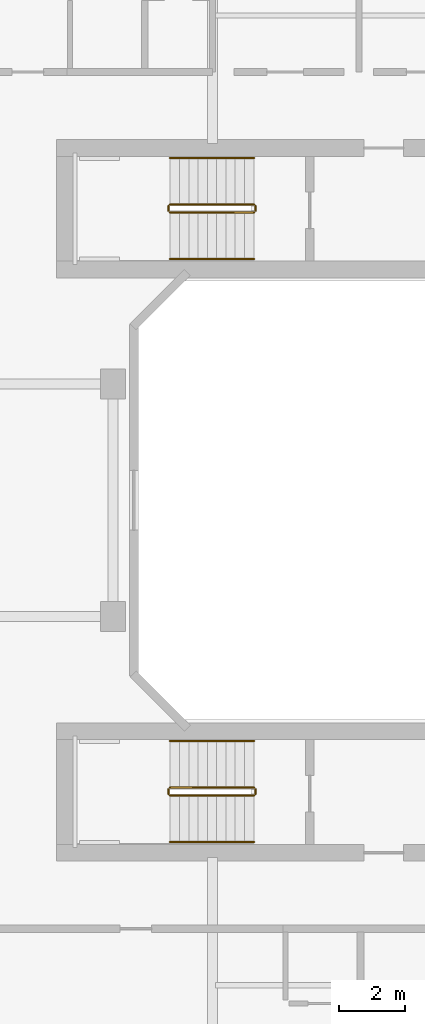
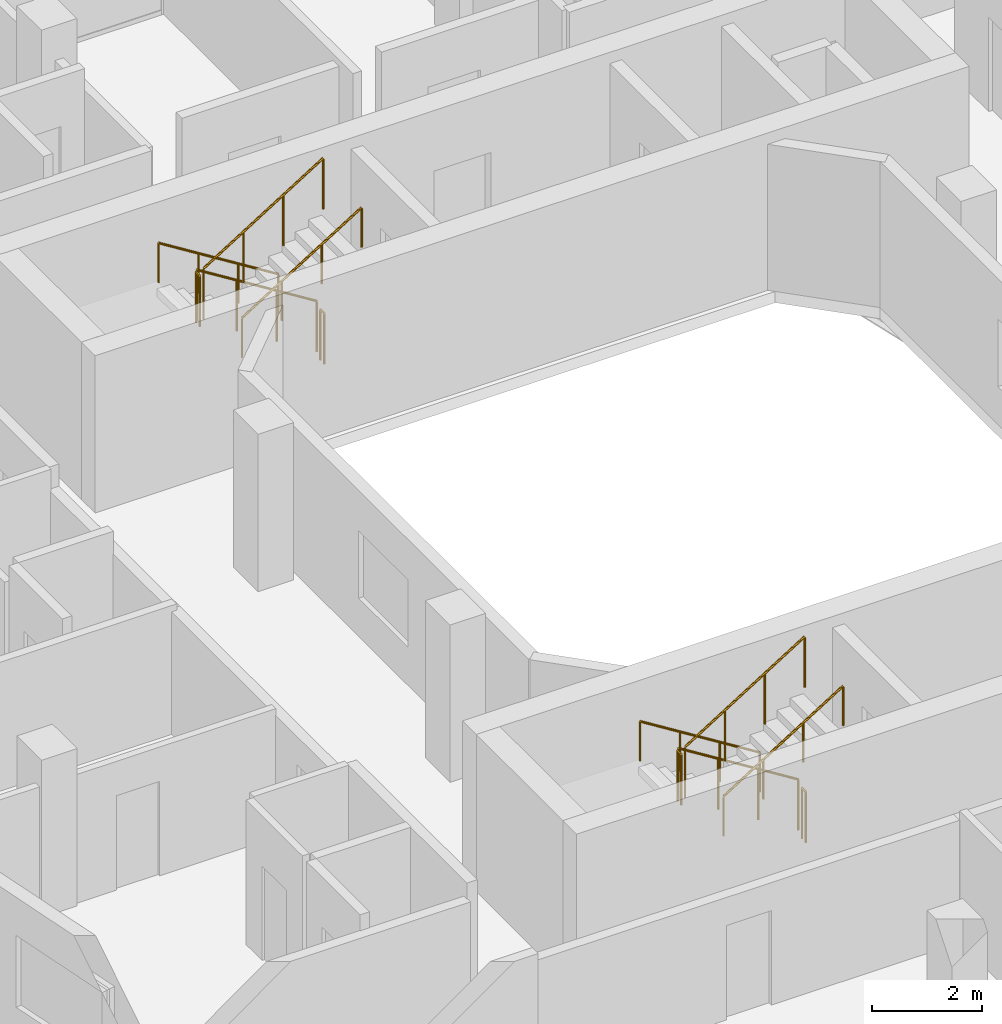
# One storey, part 26 of 26: 12 railings.
"""IFC4 building model written with IfcOpenShell, lengths in metres."""

from ifc_helpers import new_model, si_unit, derived_unit, direction, frame, origin, origin_2d, place, context, subcontext, project, spatial, circle, extrude, material, type_object, element, save


model = new_model("IFC4")

# Units and contexts
model_context = context("Model", 3, precision=1e-05, world=origin(), true_north=direction((0.0, 1.0)))
body_context = subcontext(model_context, "Body", "Model", "MODEL_VIEW")
ifc_project = project(units=[si_unit("LENGTHUNIT", "METRE"), si_unit("AREAUNIT", "SQUARE_METRE"), si_unit("VOLUMEUNIT", "CUBIC_METRE"), si_unit("PLANEANGLEUNIT", "RADIAN"), si_unit("MASSUNIT", "GRAM", prefix="KILO"), derived_unit("THERMALTRANSMITTANCEUNIT", [(si_unit("POWERUNIT", "WATT"), 1), (si_unit("LENGTHUNIT", "METRE"), -2), (si_unit("THERMODYNAMICTEMPERATUREUNIT", "KELVIN"), -1)])], contexts=[model_context])

# Site, building, storey
site_placement = place(None, origin())
site = spatial("IfcSite", under=ifc_project, at=site_placement, CompositionType="ELEMENT")
building_placement = place(site_placement, origin())
building = spatial("IfcBuilding", under=site, at=building_placement, Name="Kivonza Crest Hotel", CompositionType="ELEMENT")
storey_placement = place(building_placement, frame((0.0, 0.0, 66.0)))
storey = spatial("IfcBuildingStorey", under=building, at=storey_placement, Name="L17", CompositionType="ELEMENT", Elevation=66.0)

# Railings
ifc_material_1 = material(Name="Brushed stainless steel handrail", Category="steel")
railing_type_1 = type_object("IfcRailingType", Name="RL-HAND-900", PredefinedType="HANDRAIL", material=ifc_material_1)
railing_1_placement = place(storey_placement, frame((73.840087890625, 35.31005859375, 0.175048828125)))
element("IfcRailing", 1, at=railing_1_placement, inside=storey, type_object=railing_type_1, Name="L17 ST-T2-N stair handrail 1", PredefinedType="HANDRAIL", context=body_context, shape_type="SweptSolid", body=[
    extrude(circle(Radius=0.02392578125, at=origin_2d()), frame((0.0, 0.0, 0.8759765625), z_axis=(-0.848007534815, 0.0, 0.529984170421), x_axis=(0.0, -1.0, 0.0)), (0.0, 0.0, 1.0), 2.9716796875),
    extrude(circle(Radius=0.02099609375, at=origin_2d()), origin(), (0.0, 0.0, 1.0), 0.851806640625),
    extrude(circle(Radius=0.02099609375, at=origin_2d()), frame((-0.840087890625, 0.0, 0.52490234375)), (0.0, 0.0, 1.0), 0.851806640625),
    extrude(circle(Radius=0.02099609375, at=origin_2d()), frame((-1.679931640625, 0.0, 1.050048828125)), (0.0, 0.0, 1.0), 0.851806640625),
    extrude(circle(Radius=0.02099609375, at=origin_2d()), frame((-2.52001953125, 0.0, 1.574951171875)), (0.0, 0.0, 1.0), 0.851806640625),
])
railing_2_placement = place(storey_placement, frame((71.320068359375, 32.27001953125, 1.925048828125)))
element("IfcRailing", 2, at=railing_2_placement, inside=storey, type_object=railing_type_1, Name="L17 ST-T2-N stair handrail 2", PredefinedType="HANDRAIL", context=body_context, shape_type="SweptSolid", body=[
    extrude(circle(Radius=0.02392578125, at=origin_2d()), frame((0.0, 0.0, 0.8759765625), z_axis=(0.848007534815, 0.0, 0.529984170421), x_axis=(0.0, 1.0, 0.0)), (0.0, 0.0, 1.0), 2.9716796875),
    extrude(circle(Radius=0.02099609375, at=origin_2d()), origin(), (0.0, 0.0, 1.0), 0.851806640625),
    extrude(circle(Radius=0.02099609375, at=origin_2d()), frame((0.840087890625, 0.0, 0.52490234375)), (0.0, 0.0, 1.0), 0.851806640625),
    extrude(circle(Radius=0.02099609375, at=origin_2d()), frame((1.679931640625, 0.0, 1.050048828125)), (0.0, 0.0, 1.0), 0.851806640625),
    extrude(circle(Radius=0.02099609375, at=origin_2d()), frame((2.52001953125, 0.0, 1.574951171875)), (0.0, 0.0, 1.0), 0.851806640625),
])
railing_3_placement = place(storey_placement, frame((73.840087890625, 17.75, 0.175048828125)))
element("IfcRailing", 3, at=railing_3_placement, inside=storey, type_object=railing_type_1, Name="L17 ST-T2-S stair handrail 1", PredefinedType="HANDRAIL", context=body_context, shape_type="SweptSolid", body=[
    extrude(circle(Radius=0.02392578125, at=origin_2d()), frame((0.0, 0.0, 0.8759765625), z_axis=(-0.848007534815, 0.0, 0.529984170421), x_axis=(0.0, -1.0, 0.0)), (0.0, 0.0, 1.0), 2.9716796875),
    extrude(circle(Radius=0.02099609375, at=origin_2d()), origin(), (0.0, 0.0, 1.0), 0.851806640625),
    extrude(circle(Radius=0.02099609375, at=origin_2d()), frame((-0.840087890625, 0.0, 0.52490234375)), (0.0, 0.0, 1.0), 0.851806640625),
    extrude(circle(Radius=0.02099609375, at=origin_2d()), frame((-1.679931640625, 0.0, 1.050048828125)), (0.0, 0.0, 1.0), 0.851806640625),
    extrude(circle(Radius=0.02099609375, at=origin_2d()), frame((-2.52001953125, 0.0, 1.574951171875)), (0.0, 0.0, 1.0), 0.851806640625),
])
railing_4_placement = place(storey_placement, frame((71.320068359375, 14.7099609375, 1.925048828125)))
element("IfcRailing", 4, at=railing_4_placement, inside=storey, type_object=railing_type_1, Name="L17 ST-T2-S stair handrail 2", PredefinedType="HANDRAIL", context=body_context, shape_type="SweptSolid", body=[
    extrude(circle(Radius=0.02392578125, at=origin_2d()), frame((0.0, 0.0, 0.8759765625), z_axis=(0.848007534815, 0.0, 0.529984170421), x_axis=(0.0, 1.0, 0.0)), (0.0, 0.0, 1.0), 2.9716796875),
    extrude(circle(Radius=0.02099609375, at=origin_2d()), origin(), (0.0, 0.0, 1.0), 0.851806640625),
    extrude(circle(Radius=0.02099609375, at=origin_2d()), frame((0.840087890625, 0.0, 0.52490234375)), (0.0, 0.0, 1.0), 0.851806640625),
    extrude(circle(Radius=0.02099609375, at=origin_2d()), frame((1.679931640625, 0.0, 1.050048828125)), (0.0, 0.0, 1.0), 0.851806640625),
    extrude(circle(Radius=0.02099609375, at=origin_2d()), frame((2.52001953125, 0.0, 1.574951171875)), (0.0, 0.0, 1.0), 0.851806640625),
])
ifc_material_2 = material(Name="Painted steel balustrade", Category="steel")
railing_type_2 = type_object("IfcRailingType", Name="RL-STAIR-1150", PredefinedType="BALUSTRADE", material=ifc_material_2)
railing_5_placement = place(storey_placement, frame((73.840087890625, 33.909912109375, 0.175048828125)))
element("IfcRailing", 5, at=railing_5_placement, inside=storey, type_object=railing_type_2, Name="L17 ST-T2-N stair guard 1", PredefinedType="BALUSTRADE", context=body_context, shape_type="SweptSolid", body=[
    extrude(circle(Radius=0.02392578125, at=origin_2d()), frame((0.0, 0.0, 1.1259765625), z_axis=(-0.848007534815, 0.0, 0.529984170421), x_axis=(0.0, -1.0, 0.0)), (0.0, 0.0, 1.0), 2.9716796875),
    extrude(circle(Radius=0.02099609375, at=origin_2d()), origin(), (0.0, 0.0, 1.0), 1.101806640625),
    extrude(circle(Radius=0.02099609375, at=origin_2d()), frame((-0.840087890625, 0.0, 0.52490234375)), (0.0, 0.0, 1.0), 1.101806640625),
    extrude(circle(Radius=0.02099609375, at=origin_2d()), frame((-1.679931640625, 0.0, 1.050048828125)), (0.0, 0.0, 1.0), 1.101806640625),
    extrude(circle(Radius=0.02099609375, at=origin_2d()), frame((-2.52001953125, 0.0, 1.574951171875)), (0.0, 0.0, 1.0), 1.101806640625),
])
railing_6_placement = place(storey_placement, frame((71.27001953125, 33.860107421875, 1.75)))
element("IfcRailing", 6, at=railing_6_placement, inside=storey, type_object=railing_type_2, Name="L17 ST-T2-N stair guard 2", PredefinedType="BALUSTRADE", context=body_context, shape_type="SweptSolid", body=[
    extrude(circle(Radius=0.02392578125, at=origin_2d()), frame((0.0, 0.0, 1.1259765625), z_axis=(0.0, -1.0, 0.0), x_axis=(1.0, 0.0, 0.0)), (0.0, 0.0, 1.0), 0.14013671875),
    extrude(circle(Radius=0.02099609375, at=origin_2d()), origin(), (0.0, 0.0, 1.0), 1.101806640625),
    extrude(circle(Radius=0.02099609375, at=origin_2d()), frame((0.0, -0.14013671875, 0.0)), (0.0, 0.0, 1.0), 1.101806640625),
])
railing_7_placement = place(storey_placement, frame((71.320068359375, 33.669921875, 1.925048828125)))
element("IfcRailing", 7, at=railing_7_placement, inside=storey, type_object=railing_type_2, Name="L17 ST-T2-N stair guard 3", PredefinedType="BALUSTRADE", context=body_context, shape_type="SweptSolid", body=[
    extrude(circle(Radius=0.02392578125, at=origin_2d()), frame((0.0, 0.0, 1.1259765625), z_axis=(0.848007534815, 0.0, 0.529984170421), x_axis=(0.0, 1.0, 0.0)), (0.0, 0.0, 1.0), 2.9716796875),
    extrude(circle(Radius=0.02099609375, at=origin_2d()), origin(), (0.0, 0.0, 1.0), 1.101806640625),
    extrude(circle(Radius=0.02099609375, at=origin_2d()), frame((0.840087890625, 0.0, 0.52490234375)), (0.0, 0.0, 1.0), 1.101806640625),
    extrude(circle(Radius=0.02099609375, at=origin_2d()), frame((1.679931640625, 0.0, 1.050048828125)), (0.0, 0.0, 1.0), 1.101806640625),
    extrude(circle(Radius=0.02099609375, at=origin_2d()), frame((2.52001953125, 0.0, 1.574951171875)), (0.0, 0.0, 1.0), 1.101806640625),
])
railing_8_placement = place(storey_placement, frame((73.889892578125, 33.860107421875, 0.0)))
element("IfcRailing", 8, at=railing_8_placement, inside=storey, type_object=railing_type_2, Name="L17 ST-T2-N stair guard 4", PredefinedType="BALUSTRADE", context=body_context, shape_type="SweptSolid", body=[
    extrude(circle(Radius=0.02392578125, at=origin_2d()), frame((0.0, 0.0, 1.1259765625), z_axis=(0.0, -1.0, 0.0), x_axis=(1.0, 0.0, 0.0)), (0.0, 0.0, 1.0), 0.14013671875),
    extrude(circle(Radius=0.02099609375, at=origin_2d()), origin(), (0.0, 0.0, 1.0), 1.101806640625),
    extrude(circle(Radius=0.02099609375, at=origin_2d()), frame((0.0, -0.14013671875, 0.0)), (0.0, 0.0, 1.0), 1.101806640625),
])
railing_9_placement = place(storey_placement, frame((73.840087890625, 16.35009765625, 0.175048828125)))
element("IfcRailing", 9, at=railing_9_placement, inside=storey, type_object=railing_type_2, Name="L17 ST-T2-S stair guard 1", PredefinedType="BALUSTRADE", context=body_context, shape_type="SweptSolid", body=[
    extrude(circle(Radius=0.02392578125, at=origin_2d()), frame((0.0, 0.0, 1.1259765625), z_axis=(-0.848007534815, 0.0, 0.529984170421), x_axis=(0.0, -1.0, 0.0)), (0.0, 0.0, 1.0), 2.9716796875),
    extrude(circle(Radius=0.02099609375, at=origin_2d()), origin(), (0.0, 0.0, 1.0), 1.101806640625),
    extrude(circle(Radius=0.02099609375, at=origin_2d()), frame((-0.840087890625, 0.0, 0.52490234375)), (0.0, 0.0, 1.0), 1.101806640625),
    extrude(circle(Radius=0.02099609375, at=origin_2d()), frame((-1.679931640625, 0.0, 1.050048828125)), (0.0, 0.0, 1.0), 1.101806640625),
    extrude(circle(Radius=0.02099609375, at=origin_2d()), frame((-2.52001953125, 0.0, 1.574951171875)), (0.0, 0.0, 1.0), 1.101806640625),
])
railing_10_placement = place(storey_placement, frame((71.27001953125, 16.300048828125, 1.75)))
element("IfcRailing", 10, at=railing_10_placement, inside=storey, type_object=railing_type_2, Name="L17 ST-T2-S stair guard 2", PredefinedType="BALUSTRADE", context=body_context, shape_type="SweptSolid", body=[
    extrude(circle(Radius=0.02392578125, at=origin_2d()), frame((0.0, 0.0, 1.1259765625), z_axis=(0.0, -1.0, 0.0), x_axis=(1.0, 0.0, 0.0)), (0.0, 0.0, 1.0), 0.14013671875),
    extrude(circle(Radius=0.02099609375, at=origin_2d()), origin(), (0.0, 0.0, 1.0), 1.101806640625),
    extrude(circle(Radius=0.02099609375, at=origin_2d()), frame((0.0, -0.14013671875, 0.0)), (0.0, 0.0, 1.0), 1.101806640625),
])
railing_11_placement = place(storey_placement, frame((71.320068359375, 16.110107421875, 1.925048828125)))
element("IfcRailing", 11, at=railing_11_placement, inside=storey, type_object=railing_type_2, Name="L17 ST-T2-S stair guard 3", PredefinedType="BALUSTRADE", context=body_context, shape_type="SweptSolid", body=[
    extrude(circle(Radius=0.02392578125, at=origin_2d()), frame((0.0, 0.0, 1.1259765625), z_axis=(0.848007534815, 0.0, 0.529984170421), x_axis=(0.0, 1.0, 0.0)), (0.0, 0.0, 1.0), 2.9716796875),
    extrude(circle(Radius=0.02099609375, at=origin_2d()), origin(), (0.0, 0.0, 1.0), 1.101806640625),
    extrude(circle(Radius=0.02099609375, at=origin_2d()), frame((0.840087890625, 0.0, 0.52490234375)), (0.0, 0.0, 1.0), 1.101806640625),
    extrude(circle(Radius=0.02099609375, at=origin_2d()), frame((1.679931640625, 0.0, 1.050048828125)), (0.0, 0.0, 1.0), 1.101806640625),
    extrude(circle(Radius=0.02099609375, at=origin_2d()), frame((2.52001953125, 0.0, 1.574951171875)), (0.0, 0.0, 1.0), 1.101806640625),
])
railing_12_placement = place(storey_placement, frame((73.889892578125, 16.300048828125, 0.0)))
element("IfcRailing", 12, at=railing_12_placement, inside=storey, type_object=railing_type_2, Name="L17 ST-T2-S stair guard 4", PredefinedType="BALUSTRADE", context=body_context, shape_type="SweptSolid", body=[
    extrude(circle(Radius=0.02392578125, at=origin_2d()), frame((0.0, 0.0, 1.1259765625), z_axis=(0.0, -1.0, 0.0), x_axis=(1.0, 0.0, 0.0)), (0.0, 0.0, 1.0), 0.14013671875),
    extrude(circle(Radius=0.02099609375, at=origin_2d()), origin(), (0.0, 0.0, 1.0), 1.101806640625),
    extrude(circle(Radius=0.02099609375, at=origin_2d()), frame((0.0, -0.14013671875, 0.0)), (0.0, 0.0, 1.0), 1.101806640625),
])

save(model, "model.ifc")
